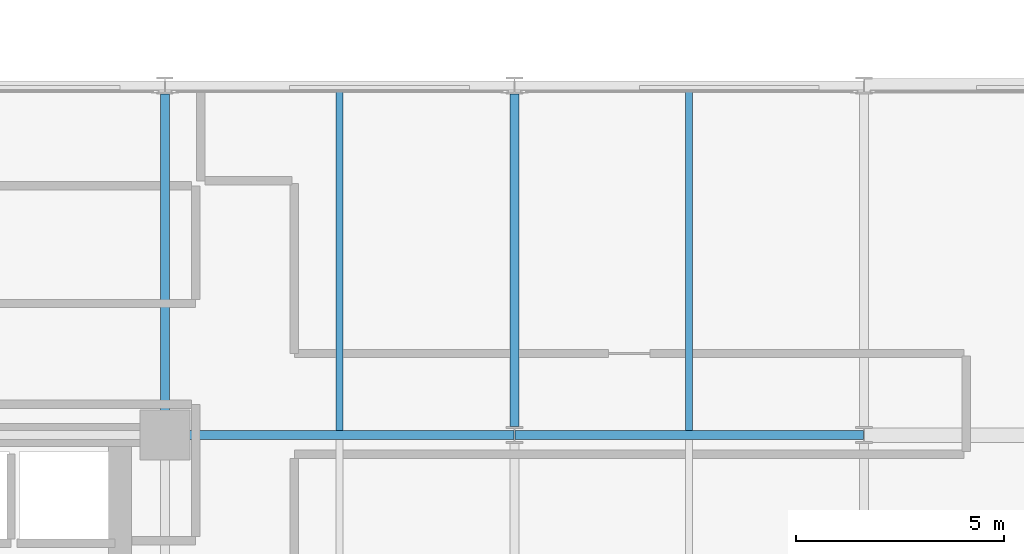
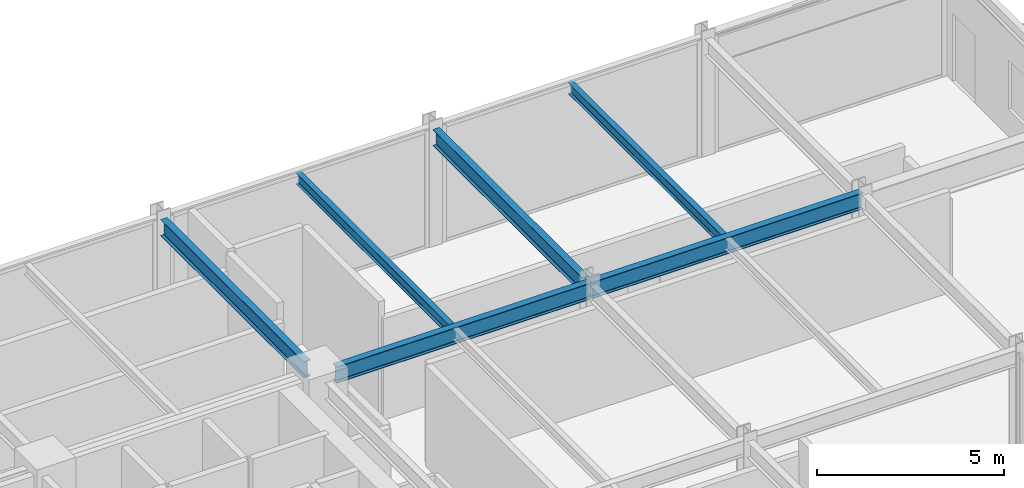
# One storey, part 19 of 38: 6 beams.
"""IFC4 building model written with IfcOpenShell, lengths in metres."""

import ifcopenshell
import ifcopenshell.guid

model = None  # the IFC model being written
_history = None  # IfcOwnerHistory: only IFC2X3 demands one
_inside = {}  # id of a spatial element -> (the spatial element, [elements in it])
_under = {}  # id of a project, library or spatial element -> (it, [spatial elements below it])
_declared = {}  # id of a project -> (the project, [libraries it declares])
_typed = {}  # id of a type object -> (the type object, [elements of that type])
_made_of = {}  # id of a material, layer set ... -> (it, [elements and type objects made of it])


def new_model(schema):
    """Start an empty IFC model of exactly this schema.

    Asked for "IFC4X3", IfcOpenShell would pick the latest addendum, in which some entities
    have other attributes; the version numbers below select the first issue.
    IFC2X3 requires an IfcOwnerHistory on every rooted entity: one is made here for all.
    """
    global model, _history
    if schema == "IFC4X3":
        model = ifcopenshell.file(schema_version=(4, 3, 0, 0))
    else:
        model = ifcopenshell.file(schema=schema)
    _inside.clear()
    _under.clear()
    _declared.clear()
    _typed.clear()
    _made_of.clear()
    _history = None
    if model.schema == "IFC2X3":
        org = make("IfcOrganization", Name="unknown")
        user = make(
            "IfcPersonAndOrganization",
            ThePerson=make("IfcPerson", FamilyName="unknown"),
            TheOrganization=org,
        )
        app = make(
            "IfcApplication",
            ApplicationDeveloper=org,
            Version="unknown",
            ApplicationFullName="unknown",
            ApplicationIdentifier="unknown",
        )
        _history = make(
            "IfcOwnerHistory",
            OwningUser=user,
            OwningApplication=app,
            ChangeAction="ADDED",
            CreationDate=0,
        )
    return model


def make(cls, **values):
    """One entity of the class cls with the attributes given. An attribute that is None is left unset."""
    return model.create_entity(
        cls, **{name: value for name, value in values.items() if value is not None}
    )


def rooted(cls, **values):
    """An entity with a GlobalId (a new one), such as an element, a storey or a relation."""
    return make(cls, GlobalId=ifcopenshell.guid.new(), OwnerHistory=_history, **values)


def si_unit(unit_type, name, prefix=None):
    """IfcSIUnit, for example si_unit("LENGTHUNIT", "METRE", prefix="MILLI")."""
    return make("IfcSIUnit", UnitType=unit_type, Prefix=prefix, Name=name)


def assignment(units):
    """IfcUnitAssignment: the units of a project."""
    return None if units is None else make("IfcUnitAssignment", Units=units)


def point(xyz):
    """IfcCartesianPoint."""
    return None if xyz is None else make("IfcCartesianPoint", Coordinates=xyz)


def direction(xyz):
    """IfcDirection."""
    return None if xyz is None else make("IfcDirection", DirectionRatios=xyz)


def frame(location, z_axis=None, x_axis=None):
    """IfcAxis2Placement3D, a coordinate frame: its origin and axes. An axis left out is left unset."""
    return make(
        "IfcAxis2Placement3D",
        Location=point(location),
        Axis=direction(z_axis),
        RefDirection=direction(x_axis),
    )


def frame_2d(location, x_axis=None):
    """IfcAxis2Placement2D, a coordinate frame in the plane: its origin and x axis."""
    return make(
        "IfcAxis2Placement2D", Location=point(location), RefDirection=direction(x_axis)
    )


def origin():
    """The frame at (0, 0, 0) with its axes left unset."""
    return frame((0.0, 0.0, 0.0))


def origin_2d():
    """The frame at (0, 0) in the plane with its x axis left unset."""
    return frame_2d((0.0, 0.0))


def place(relative_to, where):
    """IfcLocalPlacement: puts the frame where relative to a parent placement (None: the world)."""
    return make(
        "IfcLocalPlacement", PlacementRelTo=relative_to, RelativePlacement=where
    )


def context(
    kind, dimensions, precision=None, world=None, true_north=None, identifier=None
):
    """IfcGeometricRepresentationContext, for example the 3D "Model" context."""
    return make(
        "IfcGeometricRepresentationContext",
        ContextIdentifier=identifier,
        ContextType=kind,
        CoordinateSpaceDimension=dimensions,
        Precision=precision,
        WorldCoordinateSystem=world,
        TrueNorth=true_north,
    )


def subcontext(parent, identifier, kind, view, scale=None):
    """IfcGeometricRepresentationSubContext, for example "Body" below "Model"."""
    return make(
        "IfcGeometricRepresentationSubContext",
        ContextIdentifier=identifier,
        ContextType=kind,
        ParentContext=parent,
        TargetScale=scale,
        TargetView=view,
    )


def project(units=None, contexts=None):
    """IfcProject with its units and contexts."""
    return rooted(
        "IfcProject",
        Name="project",
        RepresentationContexts=contexts,
        UnitsInContext=assignment(units),
    )


def spatial(cls, under=None, at=None, **own):
    """A site, building, storey or space (cls), placed at a placement, below another one or the project."""
    s = rooted(cls, ObjectPlacement=at, **own)
    if under is not None:
        _under.setdefault(under.id(), (under, []))[1].append(s)
    return s


def profile(cls, at=None, kind="AREA", **sizes):
    """A parametric profile (cls). Its sizes go by their IFC names, for example OverallWidth=200.0."""
    return make(cls, ProfileType=kind, Position=at, **sizes)


def i_section(**sizes):
    """IfcIShapeProfileDef."""
    return profile("IfcIShapeProfileDef", **sizes)


def extrude(swept, where, along, depth):
    """IfcExtrudedAreaSolid: the profile swept, set in the frame where, extruded along a direction by depth."""
    return make(
        "IfcExtrudedAreaSolid",
        SweptArea=swept,
        Position=where,
        ExtrudedDirection=direction(along),
        Depth=depth,
    )


def shape(context_of_items, identifier, shape_type, items):
    """IfcShapeRepresentation: the items that make up one representation, for example the "Body"."""
    return make(
        "IfcShapeRepresentation",
        ContextOfItems=context_of_items,
        RepresentationIdentifier=identifier,
        RepresentationType=shape_type,
        Items=items,
    )


def material(Name=None, Category=None):
    """IfcMaterial."""
    return make("IfcMaterial", Name=Name, Category=Category)


def material_profile(
    of_material, cross_section, Name=None, Category=None, Priority=None
):
    """IfcMaterialProfile: a cross section and its material."""
    return make(
        "IfcMaterialProfile",
        Name=Name,
        Material=of_material,
        Profile=cross_section,
        Priority=Priority,
        Category=Category,
    )


def profile_set(profiles, Name=None, composite=None):
    """IfcMaterialProfileSet."""
    return make(
        "IfcMaterialProfileSet",
        Name=Name,
        MaterialProfiles=profiles,
        CompositeProfile=composite,
    )


def made_of(thing, what):
    """Note that an element or type object is made of a material, layer set ...; save() writes the relation."""
    if what is not None:
        _made_of.setdefault(what.id(), (what, []))[1].append(thing)
    return thing


def type_object(cls, material=None, **own):
    """A type object (cls), such as IfcWallType, which elements share."""
    return made_of(rooted(cls, **own), material)


def element(
    cls,
    number,
    at=None,
    inside=None,
    cuts=None,
    type_object=None,
    material=None,
    context=None,
    identifier="Body",
    shape_type=None,
    held_by="IfcProductDefinitionShape",
    body=None,
    shapes=None,
    **own,
):
    """One element of the class cls, such as IfcWall. Its Tag is "e" and its number.

    at: its placement. inside: the storey or other place that contains it. cuts: it is an
    opening in that element (IfcRelVoidsElement). A single representation is given by context,
    identifier, shape_type and body (its items); several are given by shapes. held_by: the class
    of the entity that holds the representations. save() writes the other relations.
    """
    e = rooted(cls, Tag="e%d" % number, ObjectPlacement=at, **own)
    if body is not None:
        shapes = [shape(context, identifier, shape_type, body)]
    if shapes is not None:
        e.Representation = make(held_by, Representations=shapes)
    if inside is not None:
        _inside.setdefault(inside.id(), (inside, []))[1].append(e)
    if cuts is not None:
        rooted(
            "IfcRelVoidsElement", RelatingBuildingElement=cuts, RelatedOpeningElement=e
        )
    if type_object is not None:
        _typed.setdefault(type_object.id(), (type_object, []))[1].append(e)
    return made_of(e, material)


def aggregate(whole, parts):
    """IfcRelAggregates: a whole, such as a stair, and the parts it consists of."""
    return rooted("IfcRelAggregates", RelatingObject=whole, RelatedObjects=parts)


def save(model, path):
    """Write the relations noted so far, then the file.

    IfcRelAggregates (storeys below a building ...), IfcRelContainedInSpatialStructure (elements
    in a storey), IfcRelDefinesByType, IfcRelAssociatesMaterial and IfcRelDeclares: one each for
    every whole, place, type object, material and project.
    """
    for whole, parts in _under.values():
        aggregate(whole, parts)
    for where, things in _inside.values():
        rooted(
            "IfcRelContainedInSpatialStructure",
            RelatedElements=things,
            RelatingStructure=where,
        )
    for kind, things in _typed.values():
        rooted("IfcRelDefinesByType", RelatedObjects=things, RelatingType=kind)
    for what, things in _made_of.values():
        rooted("IfcRelAssociatesMaterial", RelatedObjects=things, RelatingMaterial=what)
    for by, libraries in _declared.values():
        rooted("IfcRelDeclares", RelatingContext=by, RelatedDefinitions=libraries)
    model.write(path)


model = new_model("IFC4")

# Units and contexts
model_context = context("Model", 3, precision=1e-05, world=origin(), true_north=direction((0.0, 1.0)))
body_context = subcontext(model_context, "Body", "Model", "MODEL_VIEW")
ifc_project = project(units=[si_unit("LENGTHUNIT", "METRE"), si_unit("AREAUNIT", "SQUARE_METRE"), si_unit("VOLUMEUNIT", "CUBIC_METRE"), si_unit("PLANEANGLEUNIT", "RADIAN"), si_unit("MASSUNIT", "GRAM", prefix="KILO")], contexts=[model_context])

# Site, building, storey
site_placement = place(None, origin())
site = spatial("IfcSite", under=ifc_project, at=site_placement, CompositionType="ELEMENT")
building_placement = place(site_placement, origin())
building = spatial("IfcBuilding", under=site, at=building_placement, Name="Nerrivon Quay Data Exchange", CompositionType="ELEMENT")
storey_placement = place(building_placement, frame((0.0, 0.0, 96.699951171875)))
storey = spatial("IfcBuildingStorey", under=building, at=storey_placement, Name="L22", CompositionType="ELEMENT", Elevation=96.699951171875)

# Beams
ifc_material = material(Name="Steel Grade 350", Category="steel")
ifc_material_profile_1 = material_profile(ifc_material, i_section(OverallWidth=0.208984375, OverallDepth=0.532958984375, WebThickness=0.01025390625, FlangeThickness=0.015625, FilletRadius=0.013916015625, at=origin_2d()), Name="530UB92.4")
ifc_profile_set_1 = profile_set([ifc_material_profile_1], Name="Steel Grade 350")
beam_type_1 = type_object("IfcBeamType", Name="BM-G3-530UB92", PredefinedType="BEAM", material=ifc_profile_set_1)
beam_1_placement = place(storey_placement, frame((34.139892578125, 16.800048828125, 3.55859375), z_axis=(1.0, 0.0, 0.0), x_axis=(0.0, 1.0, 0.0)))
element("IfcBeam", 1, at=beam_1_placement, inside=storey, type_object=beam_type_1, Name="L22 EW Girder Y=16.8 (33.6..42.0)", PredefinedType="BEAM", context=body_context, shape_type="SweptSolid", body=[
    extrude(i_section(OverallWidth=0.208984375, OverallDepth=0.532958984375, WebThickness=0.01025390625, FlangeThickness=0.015625, FilletRadius=0.013916015625, at=origin_2d()), origin(), (0.0, 0.0, 1.0), 7.84765625),
])
beam_2_placement = place(storey_placement, frame((42.012451171875, 16.800048828125, 3.55859375), z_axis=(1.0, 0.0, 0.0), x_axis=(0.0, 1.0, 0.0)))
element("IfcBeam", 2, at=beam_2_placement, inside=storey, type_object=beam_type_1, Name="L22 EW Girder Y=16.8 (42.0..50.4)", PredefinedType="BEAM", context=body_context, shape_type="SweptSolid", body=[
    extrude(i_section(OverallWidth=0.208984375, OverallDepth=0.532958984375, WebThickness=0.01025390625, FlangeThickness=0.015625, FilletRadius=0.013916015625, at=origin_2d()), origin(), (0.0, 0.0, 1.0), 8.375),
])
ifc_material_profile_2 = material_profile(ifc_material, i_section(OverallWidth=0.208984375, OverallDepth=0.528076171875, WebThickness=0.009521484375, FlangeThickness=0.01318359375, FilletRadius=0.013916015625, at=origin_2d()), Name="530UB82.0")
ifc_profile_set_2 = profile_set([ifc_material_profile_2], Name="Steel Grade 350")
beam_type_2 = type_object("IfcBeamType", Name="BM-G4-530UB82", PredefinedType="BEAM", material=ifc_profile_set_2)
beam_3_placement = place(storey_placement, frame((33.60009765625, 17.340087890625, 3.56103515625), z_axis=(0.0, 1.0, 0.0), x_axis=(-1.0, 0.0, 0.0)))
element("IfcBeam", 3, at=beam_3_placement, inside=storey, type_object=beam_type_2, Name="L22 NS Girder X=33.6 (16.8..25.2)", PredefinedType="BEAM", context=body_context, shape_type="SweptSolid", body=[
    extrude(i_section(OverallWidth=0.208984375, OverallDepth=0.528076171875, WebThickness=0.009521484375, FlangeThickness=0.01318359375, FilletRadius=0.013916015625, at=origin_2d()), origin(), (0.0, 0.0, 1.0), 7.659912109375),
])
beam_4_placement = place(storey_placement, frame((42.0, 17.0, 3.56103515625), z_axis=(0.0, 1.0, 0.0), x_axis=(-1.0, 0.0, 0.0)))
element("IfcBeam", 4, at=beam_4_placement, inside=storey, type_object=beam_type_2, Name="L22 NS Girder X=42.0 (16.8..25.2)", PredefinedType="BEAM", context=body_context, shape_type="SweptSolid", body=[
    extrude(i_section(OverallWidth=0.208984375, OverallDepth=0.528076171875, WebThickness=0.009521484375, FlangeThickness=0.01318359375, FilletRadius=0.013916015625, at=origin_2d()), origin(), (0.0, 0.0, 1.0), 8.0),
])
ifc_material_profile_3 = material_profile(ifc_material, i_section(OverallWidth=0.1708984375, OverallDepth=0.35595703125, WebThickness=0.00732421875, FlangeThickness=0.011474609375, FilletRadius=0.011474609375, at=origin_2d()), Name="360UB50.7")
ifc_profile_set_3 = profile_set([ifc_material_profile_3], Name="Steel Grade 350")
beam_type_3 = type_object("IfcBeamType", Name="BM-J4-360UB51", PredefinedType="JOIST", material=ifc_profile_set_3)
for number, where, z_axis, x_axis, name in (
    (5, (37.800048828125, 16.904541015625, 3.64697265625), (0.0, 1.0, 0.0), (-1.0, 0.0, 0.0), "L22 Secondary Joist X=37.8 (16.8..25.2)"),
    (6, (46.199951171875, 16.904541015625, 3.64697265625), (0.0, 1.0, 0.0), (-1.0, 0.0, 0.0), "L22 Secondary Joist X=46.2 (16.8..25.2)"),
):
    element("IfcBeam", number, at=place(storey_placement, frame(where, z_axis=z_axis, x_axis=x_axis)), inside=storey, type_object=beam_type_3, Name=name, PredefinedType="JOIST", context=body_context, shape_type="SweptSolid", body=[
        extrude(i_section(OverallWidth=0.1708984375, OverallDepth=0.35595703125, WebThickness=0.00732421875, FlangeThickness=0.011474609375, FilletRadius=0.011474609375, at=origin_2d()), origin(), (0.0, 0.0, 1.0), 8.19091796875),
    ])

save(model, "model.ifc")
